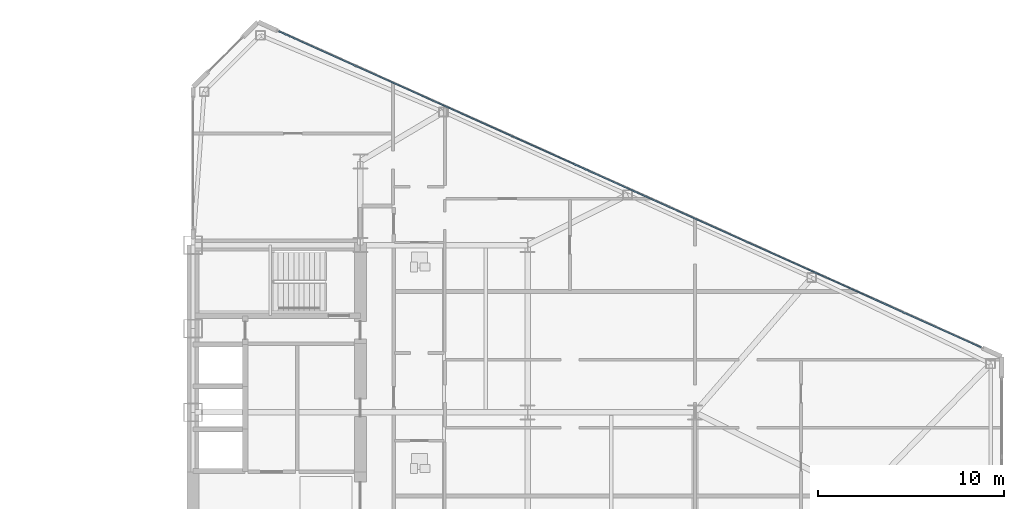
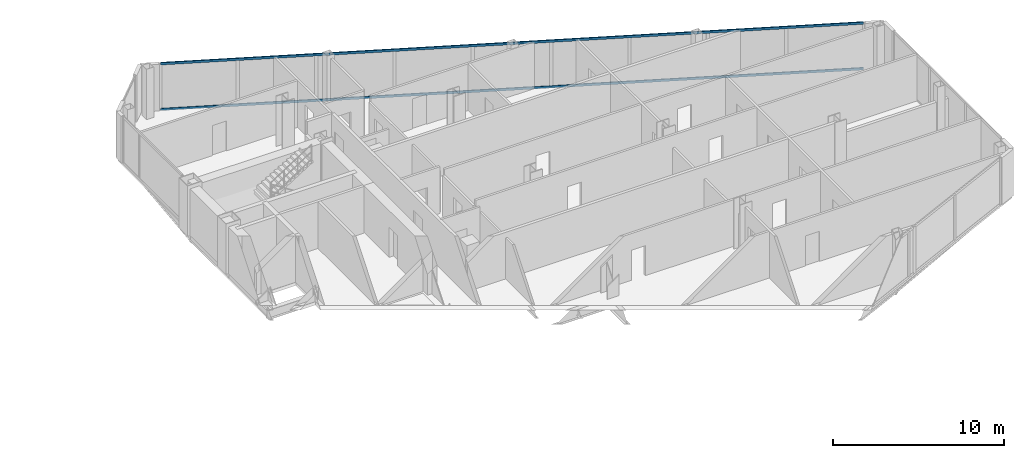
# One storey, part 14 of 27: 2 members, 1 element without a shape of its own.
"""IFC4 building model written with IfcOpenShell, lengths in metres."""

import ifcopenshell
import ifcopenshell.guid

model = None  # the IFC model being written
_history = None  # IfcOwnerHistory: only IFC2X3 demands one
_inside = {}  # id of a spatial element -> (the spatial element, [elements in it])
_under = {}  # id of a project, library or spatial element -> (it, [spatial elements below it])
_declared = {}  # id of a project -> (the project, [libraries it declares])
_typed = {}  # id of a type object -> (the type object, [elements of that type])
_made_of = {}  # id of a material, layer set ... -> (it, [elements and type objects made of it])


def new_model(schema):
    """Start an empty IFC model of exactly this schema.

    Asked for "IFC4X3", IfcOpenShell would pick the latest addendum, in which some entities
    have other attributes; the version numbers below select the first issue.
    IFC2X3 requires an IfcOwnerHistory on every rooted entity: one is made here for all.
    """
    global model, _history
    if schema == "IFC4X3":
        model = ifcopenshell.file(schema_version=(4, 3, 0, 0))
    else:
        model = ifcopenshell.file(schema=schema)
    _inside.clear()
    _under.clear()
    _declared.clear()
    _typed.clear()
    _made_of.clear()
    _history = None
    if model.schema == "IFC2X3":
        org = make("IfcOrganization", Name="unknown")
        user = make(
            "IfcPersonAndOrganization",
            ThePerson=make("IfcPerson", FamilyName="unknown"),
            TheOrganization=org,
        )
        app = make(
            "IfcApplication",
            ApplicationDeveloper=org,
            Version="unknown",
            ApplicationFullName="unknown",
            ApplicationIdentifier="unknown",
        )
        _history = make(
            "IfcOwnerHistory",
            OwningUser=user,
            OwningApplication=app,
            ChangeAction="ADDED",
            CreationDate=0,
        )
    return model


def make(cls, **values):
    """One entity of the class cls with the attributes given. An attribute that is None is left unset."""
    return model.create_entity(
        cls, **{name: value for name, value in values.items() if value is not None}
    )


def rooted(cls, **values):
    """An entity with a GlobalId (a new one), such as an element, a storey or a relation."""
    return make(cls, GlobalId=ifcopenshell.guid.new(), OwnerHistory=_history, **values)


def si_unit(unit_type, name, prefix=None):
    """IfcSIUnit, for example si_unit("LENGTHUNIT", "METRE", prefix="MILLI")."""
    return make("IfcSIUnit", UnitType=unit_type, Prefix=prefix, Name=name)


def assignment(units):
    """IfcUnitAssignment: the units of a project."""
    return None if units is None else make("IfcUnitAssignment", Units=units)


def point(xyz):
    """IfcCartesianPoint."""
    return None if xyz is None else make("IfcCartesianPoint", Coordinates=xyz)


def direction(xyz):
    """IfcDirection."""
    return None if xyz is None else make("IfcDirection", DirectionRatios=xyz)


def frame(location, z_axis=None, x_axis=None):
    """IfcAxis2Placement3D, a coordinate frame: its origin and axes. An axis left out is left unset."""
    return make(
        "IfcAxis2Placement3D",
        Location=point(location),
        Axis=direction(z_axis),
        RefDirection=direction(x_axis),
    )


def frame_2d(location, x_axis=None):
    """IfcAxis2Placement2D, a coordinate frame in the plane: its origin and x axis."""
    return make(
        "IfcAxis2Placement2D", Location=point(location), RefDirection=direction(x_axis)
    )


def origin():
    """The frame at (0, 0, 0) with its axes left unset."""
    return frame((0.0, 0.0, 0.0))


def origin_2d():
    """The frame at (0, 0) in the plane with its x axis left unset."""
    return frame_2d((0.0, 0.0))


def place(relative_to, where):
    """IfcLocalPlacement: puts the frame where relative to a parent placement (None: the world)."""
    return make(
        "IfcLocalPlacement", PlacementRelTo=relative_to, RelativePlacement=where
    )


def context(
    kind, dimensions, precision=None, world=None, true_north=None, identifier=None
):
    """IfcGeometricRepresentationContext, for example the 3D "Model" context."""
    return make(
        "IfcGeometricRepresentationContext",
        ContextIdentifier=identifier,
        ContextType=kind,
        CoordinateSpaceDimension=dimensions,
        Precision=precision,
        WorldCoordinateSystem=world,
        TrueNorth=true_north,
    )


def subcontext(parent, identifier, kind, view, scale=None):
    """IfcGeometricRepresentationSubContext, for example "Body" below "Model"."""
    return make(
        "IfcGeometricRepresentationSubContext",
        ContextIdentifier=identifier,
        ContextType=kind,
        ParentContext=parent,
        TargetScale=scale,
        TargetView=view,
    )


def project(units=None, contexts=None):
    """IfcProject with its units and contexts."""
    return rooted(
        "IfcProject",
        Name="project",
        RepresentationContexts=contexts,
        UnitsInContext=assignment(units),
    )


def spatial(cls, under=None, at=None, **own):
    """A site, building, storey or space (cls), placed at a placement, below another one or the project."""
    s = rooted(cls, ObjectPlacement=at, **own)
    if under is not None:
        _under.setdefault(under.id(), (under, []))[1].append(s)
    return s


def profile(cls, at=None, kind="AREA", **sizes):
    """A parametric profile (cls). Its sizes go by their IFC names, for example OverallWidth=200.0."""
    return make(cls, ProfileType=kind, Position=at, **sizes)


def rectangle(**sizes):
    """IfcRectangleProfileDef."""
    return profile("IfcRectangleProfileDef", **sizes)


def extrude(swept, where, along, depth):
    """IfcExtrudedAreaSolid: the profile swept, set in the frame where, extruded along a direction by depth."""
    return make(
        "IfcExtrudedAreaSolid",
        SweptArea=swept,
        Position=where,
        ExtrudedDirection=direction(along),
        Depth=depth,
    )


def shape(context_of_items, identifier, shape_type, items):
    """IfcShapeRepresentation: the items that make up one representation, for example the "Body"."""
    return make(
        "IfcShapeRepresentation",
        ContextOfItems=context_of_items,
        RepresentationIdentifier=identifier,
        RepresentationType=shape_type,
        Items=items,
    )


def source(mapping_origin, context_of_items, identifier, shape_type, items):
    """IfcRepresentationMap: a shape defined once, which mapped items show again and again."""
    return make(
        "IfcRepresentationMap",
        MappingOrigin=mapping_origin,
        MappedRepresentation=shape(context_of_items, identifier, shape_type, items),
    )


def transform(
    local_origin,
    x_axis=None,
    y_axis=None,
    z_axis=None,
    scale=None,
    scale2=None,
    scale3=None,
    uniform=True,
):
    """IfcCartesianTransformationOperator3D, or its non-uniform kind. x_axis, y_axis, z_axis: its Axis1, 2, 3."""
    if uniform:
        return make(
            "IfcCartesianTransformationOperator3D",
            Axis1=direction(x_axis),
            Axis2=direction(y_axis),
            LocalOrigin=point(local_origin),
            Scale=scale,
            Axis3=direction(z_axis),
        )
    return make(
        "IfcCartesianTransformationOperator3DnonUniform",
        Axis1=direction(x_axis),
        Axis2=direction(y_axis),
        LocalOrigin=point(local_origin),
        Scale=scale,
        Axis3=direction(z_axis),
        Scale2=scale2,
        Scale3=scale3,
    )


def mapped(mapping_source, mapping_target):
    """IfcMappedItem: shows the shape of a source again, moved by a transform."""
    return make(
        "IfcMappedItem", MappingSource=mapping_source, MappingTarget=mapping_target
    )


def material(Name=None, Category=None):
    """IfcMaterial."""
    return make("IfcMaterial", Name=Name, Category=Category)


def layer(
    of_material, thickness, ventilated=None, Name=None, Category=None, Priority=None
):
    """IfcMaterialLayer: one layer of a wall or slab, of a material (None: an air gap)."""
    return make(
        "IfcMaterialLayer",
        Material=of_material,
        LayerThickness=thickness,
        IsVentilated=ventilated,
        Name=Name,
        Category=Category,
        Priority=Priority,
    )


def layer_set(layers, Name=None):
    """IfcMaterialLayerSet."""
    return make("IfcMaterialLayerSet", MaterialLayers=layers, LayerSetName=Name)


def material_profile(
    of_material, cross_section, Name=None, Category=None, Priority=None
):
    """IfcMaterialProfile: a cross section and its material."""
    return make(
        "IfcMaterialProfile",
        Name=Name,
        Material=of_material,
        Profile=cross_section,
        Priority=Priority,
        Category=Category,
    )


def profile_set(profiles, Name=None, composite=None):
    """IfcMaterialProfileSet."""
    return make(
        "IfcMaterialProfileSet",
        Name=Name,
        MaterialProfiles=profiles,
        CompositeProfile=composite,
    )


def made_of(thing, what):
    """Note that an element or type object is made of a material, layer set ...; save() writes the relation."""
    if what is not None:
        _made_of.setdefault(what.id(), (what, []))[1].append(thing)
    return thing


def type_object(cls, material=None, **own):
    """A type object (cls), such as IfcWallType, which elements share."""
    return made_of(rooted(cls, **own), material)


def type_shapes(of_type, sources):
    """Give a type object the sources (RepresentationMaps) that its elements show as mapped items."""
    of_type.RepresentationMaps = sources


def element(
    cls,
    number,
    at=None,
    inside=None,
    cuts=None,
    type_object=None,
    material=None,
    context=None,
    identifier="Body",
    shape_type=None,
    held_by="IfcProductDefinitionShape",
    body=None,
    shapes=None,
    **own,
):
    """One element of the class cls, such as IfcWall. Its Tag is "e" and its number.

    at: its placement. inside: the storey or other place that contains it. cuts: it is an
    opening in that element (IfcRelVoidsElement). A single representation is given by context,
    identifier, shape_type and body (its items); several are given by shapes. held_by: the class
    of the entity that holds the representations. save() writes the other relations.
    """
    e = rooted(cls, Tag="e%d" % number, ObjectPlacement=at, **own)
    if body is not None:
        shapes = [shape(context, identifier, shape_type, body)]
    if shapes is not None:
        e.Representation = make(held_by, Representations=shapes)
    if inside is not None:
        _inside.setdefault(inside.id(), (inside, []))[1].append(e)
    if cuts is not None:
        rooted(
            "IfcRelVoidsElement", RelatingBuildingElement=cuts, RelatedOpeningElement=e
        )
    if type_object is not None:
        _typed.setdefault(type_object.id(), (type_object, []))[1].append(e)
    return made_of(e, material)


def aggregate(whole, parts):
    """IfcRelAggregates: a whole, such as a stair, and the parts it consists of."""
    return rooted("IfcRelAggregates", RelatingObject=whole, RelatedObjects=parts)


def save(model, path):
    """Write the relations noted so far, then the file.

    IfcRelAggregates (storeys below a building ...), IfcRelContainedInSpatialStructure (elements
    in a storey), IfcRelDefinesByType, IfcRelAssociatesMaterial and IfcRelDeclares: one each for
    every whole, place, type object, material and project.
    """
    for whole, parts in _under.values():
        aggregate(whole, parts)
    for where, things in _inside.values():
        rooted(
            "IfcRelContainedInSpatialStructure",
            RelatedElements=things,
            RelatingStructure=where,
        )
    for kind, things in _typed.values():
        rooted("IfcRelDefinesByType", RelatedObjects=things, RelatingType=kind)
    for what, things in _made_of.values():
        rooted("IfcRelAssociatesMaterial", RelatedObjects=things, RelatingMaterial=what)
    for by, libraries in _declared.values():
        rooted("IfcRelDeclares", RelatingContext=by, RelatedDefinitions=libraries)
    model.write(path)


model = new_model("IFC4")

# Units and contexts
model_context = context("Model", 3, precision=1e-05, world=origin(), true_north=direction((0.0, 1.0)))
body_context = subcontext(model_context, "Body", "Model", "MODEL_VIEW")
ifc_project = project(units=[si_unit("LENGTHUNIT", "METRE"), si_unit("AREAUNIT", "SQUARE_METRE"), si_unit("VOLUMEUNIT", "CUBIC_METRE"), si_unit("PLANEANGLEUNIT", "RADIAN"), si_unit("MASSUNIT", "GRAM", prefix="KILO")], contexts=[model_context])

# Site, building, storey
site_placement = place(None, origin())
site = spatial("IfcSite", under=ifc_project, at=site_placement, CompositionType="ELEMENT")
building_placement = place(site_placement, origin())
building = spatial("IfcBuilding", under=site, at=building_placement, Name="Seokmaru Belvedere", CompositionType="ELEMENT")
storey_placement = place(building_placement, frame((0.0, 0.0, 83.699951171875)))
storey = spatial("IfcBuildingStorey", under=building, at=storey_placement, Name="L22", CompositionType="ELEMENT", Elevation=83.699951171875)

# Curtain wall, members
ifc_material_1 = material(Name="Bronze Triple Insulating Glass", Category="glass")
ifc_layer = layer(ifc_material_1, 0.195068359375)
ifc_layer_set = layer_set([ifc_layer], Name="Bronze Triple Insulating Glass")
curtain_wall_type = type_object("IfcCurtainWallType", Name="Lower-Mid Tapered Curtain Wall System CW-3", PredefinedType="NOTDEFINED", material=ifc_layer_set)
curtain_wall_placement = place(storey_placement, origin())
curtain_wall = element("IfcCurtainWall", 1, at=curtain_wall_placement, inside=storey, type_object=curtain_wall_type, Name="L22 Curtain Wall EF3", PredefinedType="NOTDEFINED")
ifc_material_2 = material(Name="Anodised Bronze Aluminium", Category="aluminium")
ifc_material_profile = material_profile(ifc_material_2, rectangle(XDim=0.070068359375, YDim=0.1650390625, at=origin_2d()), Name="CW-T-70x165")
ifc_profile_set = profile_set([ifc_material_profile], Name="Anodised Bronze Aluminium")
member_type = type_object("IfcMemberType", Name="Bronze Unitised Transom 70x165", PredefinedType="USERDEFINED", material=ifc_profile_set)
shared_shape = source(origin(), body_context, "Body", "SweptSolid", [
    extrude(rectangle(XDim=0.070068359375, YDim=0.1650390625, at=origin_2d()), origin(), (0.0, 0.0, 1.0), 41.423583984375),
])
type_shapes(member_type, [shared_shape])
member_1_placement = place(storey_placement, frame((69.887451171875, 8.00048828125, 0.03515625), z_axis=(-0.911918637916, 0.410371048956, 0.0), x_axis=(-0.410371048956, -0.911918637916, 0.0)))
member_1 = element("IfcMember", 2, at=member_1_placement, type_object=member_type, Name="CW:L22:EF3 Continuous Transom 1", ObjectType="TRANSOM", PredefinedType="USERDEFINED", context=body_context, shape_type="MappedRepresentation", body=[
    mapped(shared_shape, transform((0.0, 0.0, 0.0), scale=1.0)),
])
member_2_placement = place(storey_placement, frame((69.887451171875, 8.00048828125, 3.304931640625), z_axis=(-0.911918637916, 0.410371048956, 0.0), x_axis=(-0.410371048956, -0.911918637916, 0.0)))
member_2 = element("IfcMember", 3, at=member_2_placement, type_object=member_type, Name="CW:L22:EF3 Continuous Transom 2", ObjectType="TRANSOM", PredefinedType="USERDEFINED", context=body_context, shape_type="MappedRepresentation", body=[
    mapped(shared_shape, transform((0.0, 0.0, 0.0), scale=1.0)),
])
aggregate(curtain_wall, [member_1, member_2])

save(model, "model.ifc")
